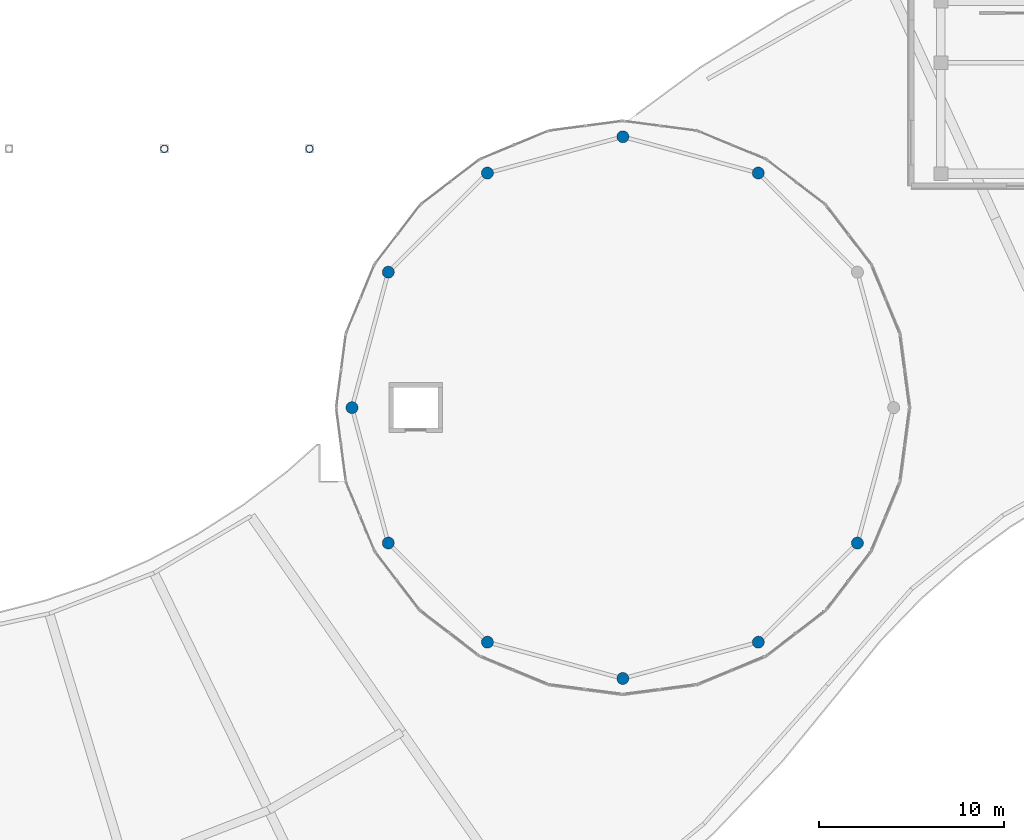
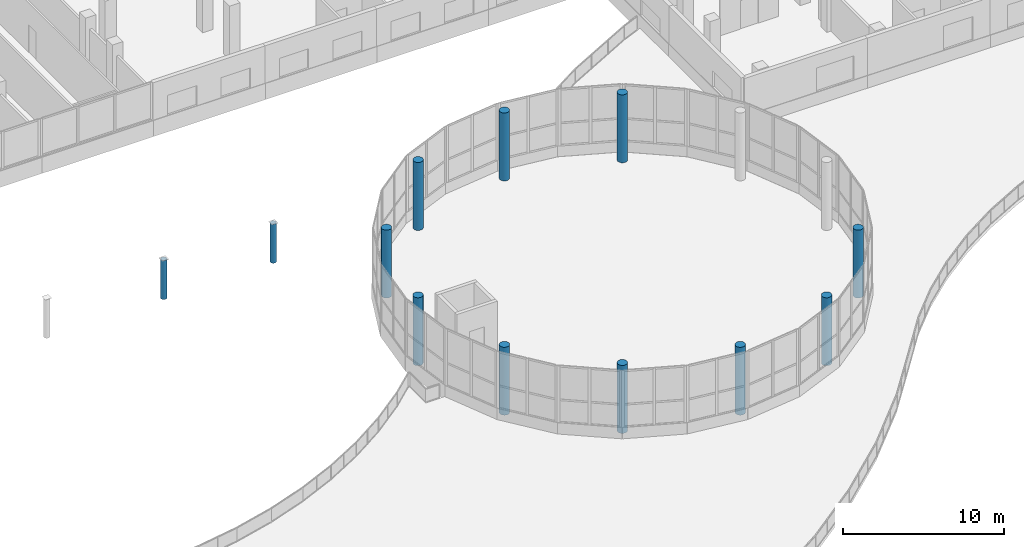
# One storey, part 2 of 101: 12 columns.
"""IFC4 building model written with IfcOpenShell, lengths in metres."""

from ifc_helpers import new_model, si_unit, direction, frame, origin, origin_2d, place, context, subcontext, project, spatial, circle, hollow_circle, extrude, material, material_profile, profile_set, type_object, element, save


model = new_model("IFC4")

# Units and contexts
model_context = context("Model", 3, precision=1e-05, world=origin(), true_north=direction((0.0, 1.0)))
body_context = subcontext(model_context, "Body", "Model", "MODEL_VIEW")
ifc_project = project(units=[si_unit("LENGTHUNIT", "METRE"), si_unit("AREAUNIT", "SQUARE_METRE"), si_unit("VOLUMEUNIT", "CUBIC_METRE"), si_unit("PLANEANGLEUNIT", "RADIAN"), si_unit("MASSUNIT", "GRAM", prefix="KILO")], contexts=[model_context])

# Site, building, storey
site_placement = place(None, origin())
site = spatial("IfcSite", under=ifc_project, at=site_placement, CompositionType="ELEMENT")
building_placement = place(site_placement, origin())
building = spatial("IfcBuilding", under=site, at=building_placement, Name="Selatvlak General Hospital", CompositionType="ELEMENT")
storey_placement = place(building_placement, frame((0.0, 0.0, 19.199951171875)))
storey = spatial("IfcBuildingStorey", under=building, at=storey_placement, Name="L04", CompositionType="ELEMENT", Elevation=19.199951171875)

# Columns
ifc_material_1 = material(Name="Steel S355", Category="steel")
ifc_material_profile_1 = material_profile(ifc_material_1, hollow_circle(Radius=0.203125, WallThickness=0.01611328125, at=origin_2d()), Name="CHS 406.4x16")
ifc_profile_set_1 = profile_set([ifc_material_profile_1], Name="Steel S355")
column_type_1 = type_object("IfcColumnType", Name="COL-CHS406", PredefinedType="COLUMN", material=ifc_profile_set_1)
for number, where, z_axis, x_axis, name in (
    (1, (73.199951171875, 68.0, 0.0), (0.0, 0.0, 1.0), (1.0, 0.0, 0.0), "Column 020 on L04"),
    (2, (81.050048828125, 68.0, 0.0), (0.0, 0.0, 1.0), (1.0, 0.0, 0.0), "Column 023 on L04"),
):
    element("IfcColumn", number, at=place(storey_placement, frame(where, z_axis=z_axis, x_axis=x_axis)), inside=storey, type_object=column_type_1, Name=name, PredefinedType="COLUMN", context=body_context, shape_type="SweptSolid", body=[
        extrude(hollow_circle(Radius=0.203125, WallThickness=0.01611328125, at=origin_2d()), origin(), (0.0, 0.0, 1.0), 2.955078125),
    ])
ifc_material_2 = material(Name="Concrete C40/50", Category="concrete")
ifc_material_profile_2 = material_profile(ifc_material_2, circle(Radius=0.324951171875, at=origin_2d()), Name="RC-COL D650")
ifc_profile_set_2 = profile_set([ifc_material_profile_2], Name="Concrete C40/50")
column_type_2 = type_object("IfcColumnType", Name="COL-RCD65", PredefinedType="COLUMN", material=ifc_profile_set_2)
for number, where, z_axis, x_axis, name in (
    (3, (105.324951171875, 66.68701171875, 0.0), (0.0, 0.0, 1.0), (0.5, 0.866025403784, 0.0), "Column 027 on L04"),
    (4, (98.0, 68.64990234375, 0.0), (0.0, 0.0, 1.0), (0.0, 1.0, 0.0), "Column 028 on L04"),
    (5, (90.675048828125, 66.68701171875, 0.0), (0.0, 0.0, 1.0), (-0.5, 0.866025403784, 0.0), "Column 029 on L04"),
    (6, (85.31298828125, 61.324951171875, 0.0), (0.0, 0.0, 1.0), (-0.866025403784, 0.5, 0.0), "Column 030 on L04"),
    (7, (83.35009765625, 54.0, 0.0), (0.0, 0.0, 1.0), (-1.0, 0.0, 0.0), "Column 031 on L04"),
    (8, (85.31298828125, 46.675048828125, 0.0), (0.0, 0.0, 1.0), (-0.866025403784, -0.5, 0.0), "Column 032 on L04"),
    (9, (90.675048828125, 41.31298828125, 0.0), (0.0, 0.0, 1.0), (-0.5, -0.866025403784, 0.0), "Column 033 on L04"),
    (10, (98.0, 39.35009765625, 0.0), (0.0, 0.0, 1.0), (0.0, -1.0, 0.0), "Column 034 on L04"),
    (11, (105.324951171875, 41.31298828125, 0.0), (0.0, 0.0, 1.0), (0.5, -0.866025403784, 0.0), "Column 035 on L04"),
    (12, (110.68701171875, 46.675048828125, 0.0), (0.0, 0.0, 1.0), (0.866025403784, -0.5, 0.0), "Column 036 on L04"),
):
    element("IfcColumn", number, at=place(storey_placement, frame(where, z_axis=z_axis, x_axis=x_axis)), inside=storey, type_object=column_type_2, Name=name, PredefinedType="COLUMN", context=body_context, shape_type="SweptSolid", body=[
        extrude(circle(Radius=0.324951171875, at=origin_2d()), origin(), (0.0, 0.0, 1.0), 5.150146484375),
    ])

save(model, "model.ifc")
